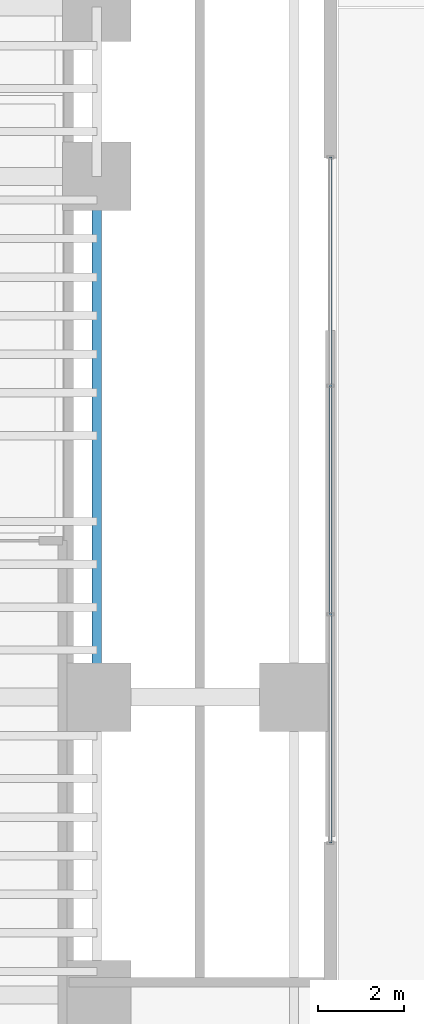
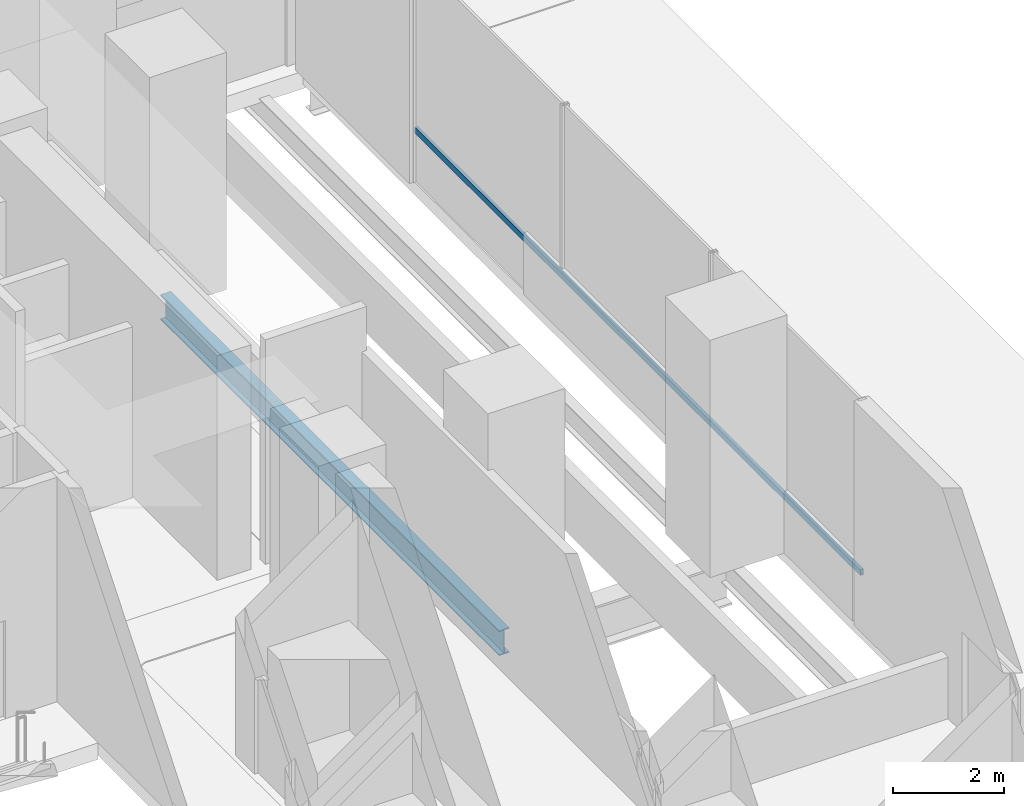
# One storey, part 11 of 27: 1 beam, 1 member, 1 element without a shape of its own.
"""IFC4 building model written with IfcOpenShell, lengths in metres."""

from ifc_helpers import new_model, si_unit, direction, frame, origin, origin_2d, place, context, subcontext, project, spatial, hollow_rectangle, i_section, extrude, source, transform, mapped, material, material_profile, profile_set, type_object, element, aggregate, save


model = new_model("IFC4")

# Units and contexts
model_context = context("Model", 3, precision=1e-05, world=origin(), true_north=direction((0.0, 1.0)))
body_context = subcontext(model_context, "Body", "Model", "MODEL_VIEW")
ifc_project = project(units=[si_unit("LENGTHUNIT", "METRE"), si_unit("AREAUNIT", "SQUARE_METRE"), si_unit("VOLUMEUNIT", "CUBIC_METRE"), si_unit("PLANEANGLEUNIT", "RADIAN"), si_unit("MASSUNIT", "GRAM", prefix="KILO")], contexts=[model_context])

# Site, building, storey
site_placement = place(None, origin())
site = spatial("IfcSite", under=ifc_project, at=site_placement, CompositionType="ELEMENT")
building_placement = place(site_placement, origin())
building = spatial("IfcBuilding", under=site, at=building_placement, Name="Valdorenza Pilgrim Sanctuary Tower", CompositionType="ELEMENT")
storey_placement = place(building_placement, origin())
storey = spatial("IfcBuildingStorey", under=building, at=storey_placement, Name="L00", CompositionType="ELEMENT", Elevation=0.0)

# Beam
ifc_material_1 = material(Name="Steel ASTM A992 Grade 50", Category="steel")
ifc_material_profile_1 = material_profile(ifc_material_1, i_section(OverallWidth=0.214111328125, OverallDepth=0.549072265625, WebThickness=0.0146484375, FlangeThickness=0.023681640625, at=origin_2d()), Name="W21X93")
ifc_profile_set_1 = profile_set([ifc_material_profile_1], Name="Steel ASTM A992 Grade 50")
beam_type = type_object("IfcBeamType", Name="STR-BM-SPN-W21A", PredefinedType="SPANDREL", material=ifc_profile_set_1)
shared_shape_1 = source(origin(), body_context, "Body", "SweptSolid", [
    extrude(i_section(OverallWidth=0.214111328125, OverallDepth=0.549072265625, WebThickness=0.0146484375, FlangeThickness=0.023681640625, at=origin_2d()), origin(), (0.0, 0.0, 1.0), 12.150146484375),
])
beam_placement = place(storey_placement, frame((28.39990234375, -2.60009765625, -0.554443359375), z_axis=(0.0, 1.0, 0.0), x_axis=(-1.0, 0.0, 0.0)))
element("IfcBeam", 1, at=beam_placement, inside=storey, type_object=beam_type, Name="L00 Spandrel Beam WB-E-M0N1", PredefinedType="SPANDREL", context=body_context, shape_type="MappedRepresentation", body=[
    mapped(shared_shape_1, transform((0.0, 0.0, 0.0), x_axis=(1.0, 0.0, 0.0), y_axis=(0.0, 1.0, 0.0), z_axis=(0.0, 0.0, 1.0), scale=1.0)),
])

# Curtain wall, member
ifc_material_2 = material(Name="Curtain-wall IGU glazing", Category="glass")
curtain_wall_type = type_object("IfcCurtainWallType", Name="CW-SYS-01", PredefinedType="NOTDEFINED", material=ifc_material_2)
curtain_wall_placement = place(storey_placement, origin())
curtain_wall = element("IfcCurtainWall", 2, at=curtain_wall_placement, inside=storey, type_object=curtain_wall_type, Name="L00 Curtain Wall CW-POD-L00-EE", PredefinedType="NOTDEFINED")
ifc_material_3 = material(Name="Anodised aluminium AW-6060", Category="aluminium")
ifc_material_profile_2 = material_profile(ifc_material_3, hollow_rectangle(XDim=0.06494140625, YDim=0.1298828125, WallThickness=0.00341796875, at=origin_2d()), Name="ALU-T 130x65x3.5")
ifc_profile_set_2 = profile_set([ifc_material_profile_2], Name="Anodised aluminium AW-6060")
member_type = type_object("IfcMemberType", Name="CW-TRN-01", PredefinedType="USERDEFINED", material=ifc_profile_set_2)
shared_shape_2 = source(origin(), body_context, "Body", "SweptSolid", [
    extrude(hollow_rectangle(XDim=0.06494140625, YDim=0.1298828125, WallThickness=0.00341796875, at=origin_2d()), origin(), (0.0, 0.0, 1.0), 16.0),
])
member_placement = place(storey_placement, frame((33.85009765625, -6.0, 1.1201171875), z_axis=(0.0, 1.0, 0.0), x_axis=(-1.0, 0.0, 0.0)))
member = element("IfcMember", 3, at=member_placement, type_object=member_type, Name="CW-POD-L00-EE Transom 1", ObjectType="TRANSOM", PredefinedType="USERDEFINED", context=body_context, shape_type="MappedRepresentation", body=[
    mapped(shared_shape_2, transform((0.0, 0.0, 0.0), x_axis=(1.0, 0.0, 0.0), y_axis=(0.0, 1.0, 0.0), z_axis=(0.0, 0.0, 1.0), scale=1.0)),
])
aggregate(curtain_wall, [member])

save(model, "model.ifc")
